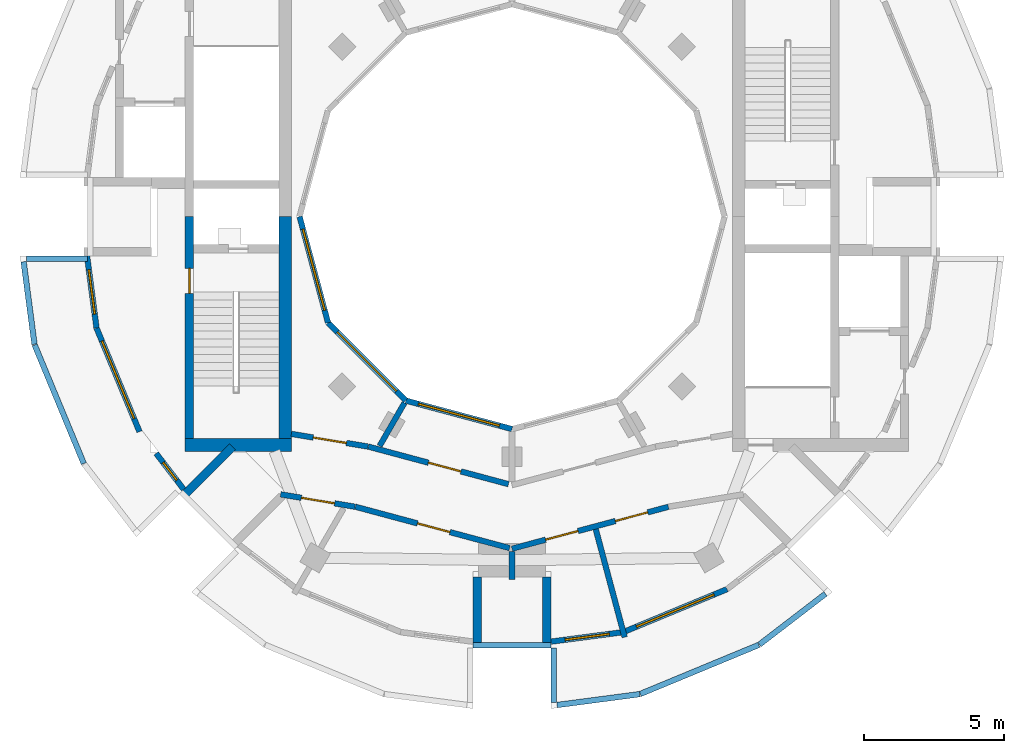
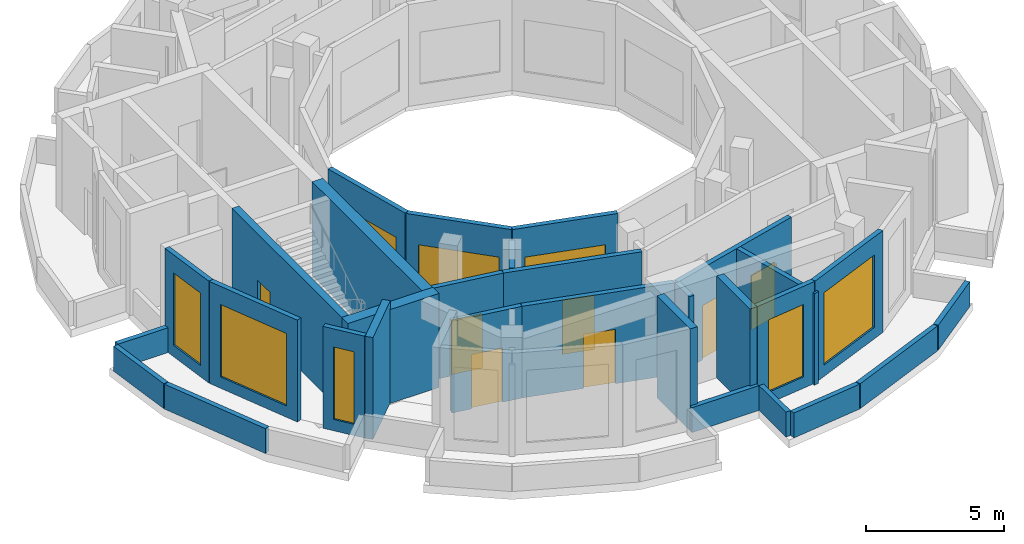
# One storey, part 2 of 7: 30 walls, 8 windows, 7 doors, 15 openings.
"""IFC4 building model written with IfcOpenShell, lengths in metres."""

import ifcopenshell
import ifcopenshell.guid

model = None  # the IFC model being written
_history = None  # IfcOwnerHistory: only IFC2X3 demands one
_inside = {}  # id of a spatial element -> (the spatial element, [elements in it])
_under = {}  # id of a project, library or spatial element -> (it, [spatial elements below it])
_declared = {}  # id of a project -> (the project, [libraries it declares])
_typed = {}  # id of a type object -> (the type object, [elements of that type])
_made_of = {}  # id of a material, layer set ... -> (it, [elements and type objects made of it])


def new_model(schema):
    """Start an empty IFC model of exactly this schema.

    Asked for "IFC4X3", IfcOpenShell would pick the latest addendum, in which some entities
    have other attributes; the version numbers below select the first issue.
    IFC2X3 requires an IfcOwnerHistory on every rooted entity: one is made here for all.
    """
    global model, _history
    if schema == "IFC4X3":
        model = ifcopenshell.file(schema_version=(4, 3, 0, 0))
    else:
        model = ifcopenshell.file(schema=schema)
    _inside.clear()
    _under.clear()
    _declared.clear()
    _typed.clear()
    _made_of.clear()
    _history = None
    if model.schema == "IFC2X3":
        org = make("IfcOrganization", Name="unknown")
        user = make(
            "IfcPersonAndOrganization",
            ThePerson=make("IfcPerson", FamilyName="unknown"),
            TheOrganization=org,
        )
        app = make(
            "IfcApplication",
            ApplicationDeveloper=org,
            Version="unknown",
            ApplicationFullName="unknown",
            ApplicationIdentifier="unknown",
        )
        _history = make(
            "IfcOwnerHistory",
            OwningUser=user,
            OwningApplication=app,
            ChangeAction="ADDED",
            CreationDate=0,
        )
    return model


def make(cls, **values):
    """One entity of the class cls with the attributes given. An attribute that is None is left unset."""
    return model.create_entity(
        cls, **{name: value for name, value in values.items() if value is not None}
    )


def rooted(cls, **values):
    """An entity with a GlobalId (a new one), such as an element, a storey or a relation."""
    return make(cls, GlobalId=ifcopenshell.guid.new(), OwnerHistory=_history, **values)


def si_unit(unit_type, name, prefix=None):
    """IfcSIUnit, for example si_unit("LENGTHUNIT", "METRE", prefix="MILLI")."""
    return make("IfcSIUnit", UnitType=unit_type, Prefix=prefix, Name=name)


def assignment(units):
    """IfcUnitAssignment: the units of a project."""
    return None if units is None else make("IfcUnitAssignment", Units=units)


def point(xyz):
    """IfcCartesianPoint."""
    return None if xyz is None else make("IfcCartesianPoint", Coordinates=xyz)


def direction(xyz):
    """IfcDirection."""
    return None if xyz is None else make("IfcDirection", DirectionRatios=xyz)


def frame(location, z_axis=None, x_axis=None):
    """IfcAxis2Placement3D, a coordinate frame: its origin and axes. An axis left out is left unset."""
    return make(
        "IfcAxis2Placement3D",
        Location=point(location),
        Axis=direction(z_axis),
        RefDirection=direction(x_axis),
    )


def frame_2d(location, x_axis=None):
    """IfcAxis2Placement2D, a coordinate frame in the plane: its origin and x axis."""
    return make(
        "IfcAxis2Placement2D", Location=point(location), RefDirection=direction(x_axis)
    )


def origin():
    """The frame at (0, 0, 0) with its axes left unset."""
    return frame((0.0, 0.0, 0.0))


def place(relative_to, where):
    """IfcLocalPlacement: puts the frame where relative to a parent placement (None: the world)."""
    return make(
        "IfcLocalPlacement", PlacementRelTo=relative_to, RelativePlacement=where
    )


def context(
    kind, dimensions, precision=None, world=None, true_north=None, identifier=None
):
    """IfcGeometricRepresentationContext, for example the 3D "Model" context."""
    return make(
        "IfcGeometricRepresentationContext",
        ContextIdentifier=identifier,
        ContextType=kind,
        CoordinateSpaceDimension=dimensions,
        Precision=precision,
        WorldCoordinateSystem=world,
        TrueNorth=true_north,
    )


def subcontext(parent, identifier, kind, view, scale=None):
    """IfcGeometricRepresentationSubContext, for example "Body" below "Model"."""
    return make(
        "IfcGeometricRepresentationSubContext",
        ContextIdentifier=identifier,
        ContextType=kind,
        ParentContext=parent,
        TargetScale=scale,
        TargetView=view,
    )


def project(units=None, contexts=None):
    """IfcProject with its units and contexts."""
    return rooted(
        "IfcProject",
        Name="project",
        RepresentationContexts=contexts,
        UnitsInContext=assignment(units),
    )


def spatial(cls, under=None, at=None, **own):
    """A site, building, storey or space (cls), placed at a placement, below another one or the project."""
    s = rooted(cls, ObjectPlacement=at, **own)
    if under is not None:
        _under.setdefault(under.id(), (under, []))[1].append(s)
    return s


def profile(cls, at=None, kind="AREA", **sizes):
    """A parametric profile (cls). Its sizes go by their IFC names, for example OverallWidth=200.0."""
    return make(cls, ProfileType=kind, Position=at, **sizes)


def rectangle(**sizes):
    """IfcRectangleProfileDef."""
    return profile("IfcRectangleProfileDef", **sizes)


def extrude(swept, where, along, depth):
    """IfcExtrudedAreaSolid: the profile swept, set in the frame where, extruded along a direction by depth."""
    return make(
        "IfcExtrudedAreaSolid",
        SweptArea=swept,
        Position=where,
        ExtrudedDirection=direction(along),
        Depth=depth,
    )


def shape(context_of_items, identifier, shape_type, items):
    """IfcShapeRepresentation: the items that make up one representation, for example the "Body"."""
    return make(
        "IfcShapeRepresentation",
        ContextOfItems=context_of_items,
        RepresentationIdentifier=identifier,
        RepresentationType=shape_type,
        Items=items,
    )


def material(Name=None, Category=None):
    """IfcMaterial."""
    return make("IfcMaterial", Name=Name, Category=Category)


def layer(
    of_material, thickness, ventilated=None, Name=None, Category=None, Priority=None
):
    """IfcMaterialLayer: one layer of a wall or slab, of a material (None: an air gap)."""
    return make(
        "IfcMaterialLayer",
        Material=of_material,
        LayerThickness=thickness,
        IsVentilated=ventilated,
        Name=Name,
        Category=Category,
        Priority=Priority,
    )


def layer_set(layers, Name=None):
    """IfcMaterialLayerSet."""
    return make("IfcMaterialLayerSet", MaterialLayers=layers, LayerSetName=Name)


def made_of(thing, what):
    """Note that an element or type object is made of a material, layer set ...; save() writes the relation."""
    if what is not None:
        _made_of.setdefault(what.id(), (what, []))[1].append(thing)
    return thing


def type_object(cls, material=None, **own):
    """A type object (cls), such as IfcWallType, which elements share."""
    return made_of(rooted(cls, **own), material)


def element(
    cls,
    number,
    at=None,
    inside=None,
    cuts=None,
    type_object=None,
    material=None,
    context=None,
    identifier="Body",
    shape_type=None,
    held_by="IfcProductDefinitionShape",
    body=None,
    shapes=None,
    **own,
):
    """One element of the class cls, such as IfcWall. Its Tag is "e" and its number.

    at: its placement. inside: the storey or other place that contains it. cuts: it is an
    opening in that element (IfcRelVoidsElement). A single representation is given by context,
    identifier, shape_type and body (its items); several are given by shapes. held_by: the class
    of the entity that holds the representations. save() writes the other relations.
    """
    e = rooted(cls, Tag="e%d" % number, ObjectPlacement=at, **own)
    if body is not None:
        shapes = [shape(context, identifier, shape_type, body)]
    if shapes is not None:
        e.Representation = make(held_by, Representations=shapes)
    if inside is not None:
        _inside.setdefault(inside.id(), (inside, []))[1].append(e)
    if cuts is not None:
        rooted(
            "IfcRelVoidsElement", RelatingBuildingElement=cuts, RelatedOpeningElement=e
        )
    if type_object is not None:
        _typed.setdefault(type_object.id(), (type_object, []))[1].append(e)
    return made_of(e, material)


def fill(opening, filler):
    """IfcRelFillsElement: the door or window that sits in an opening."""
    return rooted(
        "IfcRelFillsElement",
        RelatingOpeningElement=opening,
        RelatedBuildingElement=filler,
    )


def aggregate(whole, parts):
    """IfcRelAggregates: a whole, such as a stair, and the parts it consists of."""
    return rooted("IfcRelAggregates", RelatingObject=whole, RelatedObjects=parts)


def save(model, path):
    """Write the relations noted so far, then the file.

    IfcRelAggregates (storeys below a building ...), IfcRelContainedInSpatialStructure (elements
    in a storey), IfcRelDefinesByType, IfcRelAssociatesMaterial and IfcRelDeclares: one each for
    every whole, place, type object, material and project.
    """
    for whole, parts in _under.values():
        aggregate(whole, parts)
    for where, things in _inside.values():
        rooted(
            "IfcRelContainedInSpatialStructure",
            RelatedElements=things,
            RelatingStructure=where,
        )
    for kind, things in _typed.values():
        rooted("IfcRelDefinesByType", RelatedObjects=things, RelatingType=kind)
    for what, things in _made_of.values():
        rooted("IfcRelAssociatesMaterial", RelatedObjects=things, RelatingMaterial=what)
    for by, libraries in _declared.values():
        rooted("IfcRelDeclares", RelatingContext=by, RelatedDefinitions=libraries)
    model.write(path)


model = new_model("IFC4")

# Units and contexts
model_context = context("Model", 3, precision=1e-05, world=origin(), true_north=direction((0.0, 1.0)))
body_context = subcontext(model_context, "Body", "Model", "MODEL_VIEW")
ifc_project = project(units=[si_unit("LENGTHUNIT", "METRE"), si_unit("AREAUNIT", "SQUARE_METRE"), si_unit("VOLUMEUNIT", "CUBIC_METRE"), si_unit("PLANEANGLEUNIT", "RADIAN"), si_unit("MASSUNIT", "GRAM", prefix="KILO")], contexts=[model_context])

# Site, building, storey
site_placement = place(None, origin())
site = spatial("IfcSite", under=ifc_project, at=site_placement, CompositionType="ELEMENT")
building_placement = place(site_placement, origin())
building = spatial("IfcBuilding", under=site, at=building_placement, Name="Torre Brocal", CompositionType="ELEMENT")
storey_placement = place(building_placement, frame((0.0, 0.0, 333.10009765625)))
storey = spatial("IfcBuildingStorey", under=building, at=storey_placement, Name="L76", CompositionType="ELEMENT", Elevation=333.10009765625)

# Wall, opening, door
ifc_material_1 = material(Name="Concrete C50", Category="concrete")
ifc_layer_1 = layer(ifc_material_1, 0.300048828125)
ifc_layer_set_1 = layer_set([ifc_layer_1], Name="Concrete C50")
wall_type_1 = type_object("IfcWallType", Name="CORE WALL 300 C50 UNDER 350 SLAB", PredefinedType="SHEAR", material=ifc_layer_set_1)
wall_1_placement = place(storey_placement, frame((68.449951171875, 75.0, 0.0), z_axis=(0.0, 0.0, 1.0), x_axis=(0.0, -1.0, 0.0)))
wall_1 = element("IfcWall", 1, at=wall_1_placement, inside=storey, type_object=wall_type_1, Name="Wall CW300-50-S350", PredefinedType="SHEAR", context=body_context, shape_type="SweptSolid", body=[
    extrude(rectangle(XDim=7.949951171875, YDim=0.300048828125, at=frame_2d((3.97509765625, 0.0))), origin(), (0.0, 0.0, 1.0), 4.14990234375),
])
opening_1_placement = place(wall_1_placement, frame((1.85009765625, 0.0, 0.0)))
opening_1 = element("IfcOpeningElement", 2, at=opening_1_placement, cuts=wall_1, Name="Opening W-D02", PredefinedType="OPENING", context=body_context, shape_type="SweptSolid", body=[
    extrude(rectangle(XDim=0.89990234375, YDim=2.10009765625, at=frame_2d((0.449951171875, 1.050048828125))), frame((0.0, 0.159912109375, 0.0), z_axis=(0.0, -1.0, 0.0), x_axis=(1.0, 0.0, 0.0)), (0.0, 0.0, 1.0), 0.320068359375),
])
ifc_material_2 = material(Name="Steel A653", Category="steel")
door_type_1 = type_object("IfcDoorType", Name="STAIR DOOR FD120 900X2100", OperationType="SINGLE_SWING_RIGHT", PredefinedType="DOOR", material=ifc_material_2)
door_1_placement = place(opening_1_placement, frame((0.89990234375, 0.0, 0.0), z_axis=(0.0, 0.0, 1.0), x_axis=(-1.0, 0.0, 0.0)))
door_1 = element("IfcDoor", 3, at=door_1_placement, inside=storey, type_object=door_type_1, Name="Door W-D02", OperationType="SINGLE_SWING_RIGHT", OverallHeight=2.10009765625, OverallWidth=0.89990234375, PredefinedType="DOOR", context=body_context, shape_type="SweptSolid", body=[
    extrude(rectangle(XDim=0.89990234375, YDim=2.10009765625, at=frame_2d((0.449951171875, 1.050048828125))), frame((0.0, 0.02490234375, 0.0), z_axis=(0.0, -1.0, 0.0), x_axis=(1.0, 0.0, 0.0)), (0.0, 0.0, 1.0), 0.050048828125),
])
fill(opening_1, door_1)

# Walls
ifc_material_3 = material(Name="Concrete C50", Category="concrete")
ifc_layer_2 = layer(ifc_material_3, 0.449951171875)
ifc_layer_set_2 = layer_set([ifc_layer_2], Name="Concrete C50")
wall_type_2 = type_object("IfcWallType", Name="CORE WALL 450 C50 UNDER 350 SLAB", PredefinedType="SHEAR", material=ifc_layer_set_2)
wall_2_placement = place(storey_placement, frame((72.10009765625, 66.824951171875, 0.0), z_axis=(0.0, 0.0, 1.0), x_axis=(-1.0, 0.0, 0.0)))
element("IfcWall", 4, at=wall_2_placement, inside=storey, type_object=wall_type_2, Name="Wall CW450-50-S350", PredefinedType="SHEAR", context=body_context, shape_type="SweptSolid", body=[
    extrude(rectangle(XDim=3.800048828125, YDim=0.449951171875, at=frame_2d((1.89990234375, 0.0))), origin(), (0.0, 0.0, 1.0), 4.14990234375),
])
wall_3_placement = place(storey_placement, frame((71.875, 75.0, 0.0), z_axis=(0.0, 0.0, 1.0), x_axis=(0.0, -1.0, 0.0)))
element("IfcWall", 5, at=wall_3_placement, inside=storey, type_object=wall_type_2, Name="Wall CW450-50-S350", PredefinedType="SHEAR", context=body_context, shape_type="SweptSolid", body=[
    extrude(rectangle(XDim=7.949951171875, YDim=0.449951171875, at=frame_2d((3.97509765625, 0.0))), origin(), (0.0, 0.0, 1.0), 4.14990234375),
])

# Wall, opening, window
ifc_material_4 = material(Name="Concrete C40", Category="concrete")
ifc_layer_3 = layer(ifc_material_4, 0.199951171875)
ifc_layer_set_3 = layer_set([ifc_layer_3], Name="Concrete C40")
wall_type_3 = type_object("IfcWallType", Name="LOUVRED PLANT WALL 200", PredefinedType="NOTDEFINED", material=ifc_layer_set_3)
wall_4_placement = place(storey_placement, frame((64.78515625, 73.60009765625, 0.0), z_axis=(0.0, 0.0, 1.0), x_axis=(0.130495678972, -0.991448878041, 0.0)))
wall_4 = element("IfcWall", 6, at=wall_4_placement, inside=storey, type_object=wall_type_3, Name="LOUVRED PLANT WALL", PredefinedType="NOTDEFINED", context=body_context, shape_type="SweptSolid", body=[
    extrude(rectangle(XDim=2.60791015625, YDim=0.199951171875, at=frame_2d((1.303955078125, 0.0))), origin(), (0.0, 0.0, 1.0), 4.5),
])
opening_2_placement = place(wall_4_placement, frame((0.50390625, 0.0, 0.5)))
opening_2 = element("IfcOpeningElement", 7, at=opening_2_placement, cuts=wall_4, Name="Opening LV-1600-3200", PredefinedType="OPENING", context=body_context, shape_type="SweptSolid", body=[
    extrude(rectangle(XDim=1.60009765625, YDim=3.199951171875, at=frame_2d((0.800048828125, 1.60009765625))), frame((0.0, 0.10986328125, 0.0), z_axis=(0.0, -1.0, 0.0), x_axis=(1.0, 0.0, 0.0)), (0.0, 0.0, 1.0), 0.219970703125),
])
ifc_material_5 = material(Name="Aluminium louvre", Category="aluminium")
window_type_1 = type_object("IfcWindowType", Name="LOUVRE PANEL 1600X3200", PartitioningType="SINGLE_PANEL", PredefinedType="USERDEFINED", material=ifc_material_5)
window_1_placement = place(opening_2_placement, origin())
window_1 = element("IfcWindow", 8, at=window_1_placement, inside=storey, type_object=window_type_1, Name="LOUVRE PANEL 1600X3200", ObjectType="LOUVRE", OverallHeight=3.199951171875, OverallWidth=1.60009765625, PartitioningType="SINGLE_PANEL", PredefinedType="USERDEFINED", context=body_context, shape_type="SweptSolid", body=[
    extrude(rectangle(XDim=1.60009765625, YDim=3.199951171875, at=frame_2d((0.800048828125, 1.60009765625))), frame((0.0, 0.030029296875, 0.0), z_axis=(0.0, -1.0, 0.0), x_axis=(1.0, 0.0, 0.0)), (0.0, 0.0, 1.0), 0.06005859375),
])
fill(opening_2, window_1)

wall_5_placement = place(storey_placement, frame((65.12548828125, 71.014404296875, 0.0), z_axis=(0.0, 0.0, 1.0), x_axis=(0.38273440371, -0.923858417842, 0.0)))
wall_5 = element("IfcWall", 9, at=wall_5_placement, inside=storey, type_object=wall_type_3, Name="LOUVRED PLANT WALL", PredefinedType="NOTDEFINED", context=body_context, shape_type="SweptSolid", body=[
    extrude(rectangle(XDim=4.02001953125, YDim=0.199951171875, at=frame_2d((2.010009765625, 0.0))), origin(), (0.0, 0.0, 1.0), 4.5),
])
opening_3_placement = place(wall_5_placement, frame((0.510009765625, 0.0, 0.5)))
opening_3 = element("IfcOpeningElement", 10, at=opening_3_placement, cuts=wall_5, Name="Opening LV-3000-3200", PredefinedType="OPENING", context=body_context, shape_type="SweptSolid", body=[
    extrude(rectangle(XDim=3.0, YDim=3.199951171875, at=frame_2d((1.5, 1.60009765625))), frame((0.0, 0.10986328125, 0.0), z_axis=(0.0, -1.0, 0.0), x_axis=(1.0, 0.0, 0.0)), (0.0, 0.0, 1.0), 0.219970703125),
])
ifc_material_6 = material(Name="Aluminium louvre", Category="aluminium")
window_type_2 = type_object("IfcWindowType", Name="LOUVRE PANEL 3000X3200", PartitioningType="SINGLE_PANEL", PredefinedType="USERDEFINED", material=ifc_material_6)
window_2_placement = place(opening_3_placement, origin())
window_2 = element("IfcWindow", 11, at=window_2_placement, inside=storey, type_object=window_type_2, Name="LOUVRE PANEL 3000X3200", ObjectType="LOUVRE", OverallHeight=3.199951171875, OverallWidth=3.0, PartitioningType="SINGLE_PANEL", PredefinedType="USERDEFINED", context=body_context, shape_type="SweptSolid", body=[
    extrude(rectangle(XDim=3.0, YDim=3.199951171875, at=frame_2d((1.5, 1.60009765625))), frame((0.0, 0.030029296875, 0.0), z_axis=(0.0, -1.0, 0.0), x_axis=(1.0, 0.0, 0.0)), (0.0, 0.0, 1.0), 0.06005859375),
])
fill(opening_3, window_2)

wall_6_placement = place(storey_placement, frame((67.260498046875, 66.52294921875, 0.0), z_axis=(0.0, 0.0, 1.0), x_axis=(0.608836430161, -0.79329578425, 0.0)))
wall_6 = element("IfcWall", 12, at=wall_6_placement, inside=storey, type_object=wall_type_3, Name="LOUVRED PLANT WALL", PredefinedType="NOTDEFINED", context=body_context, shape_type="SweptSolid", body=[
    extrude(rectangle(XDim=1.6201171875, YDim=0.199951171875, at=frame_2d((0.81005859375, 0.0))), origin(), (0.0, 0.0, 1.0), 4.5),
])
opening_4_placement = place(wall_6_placement, frame((0.409912109375, 0.0, 0.5)))
opening_4 = element("IfcOpeningElement", 13, at=opening_4_placement, cuts=wall_6, Name="Opening LV-800-3200", PredefinedType="OPENING", context=body_context, shape_type="SweptSolid", body=[
    extrude(rectangle(XDim=0.800048828125, YDim=3.199951171875, at=frame_2d((0.39990234375, 1.60009765625))), frame((0.0, 0.10986328125, 0.0), z_axis=(0.0, -1.0, 0.0), x_axis=(1.0, 0.0, 0.0)), (0.0, 0.0, 1.0), 0.219970703125),
])
ifc_material_7 = material(Name="Aluminium louvre", Category="aluminium")
window_type_3 = type_object("IfcWindowType", Name="LOUVRE PANEL 800X3200", PartitioningType="SINGLE_PANEL", PredefinedType="USERDEFINED", material=ifc_material_7)
window_3_placement = place(opening_4_placement, origin())
window_3 = element("IfcWindow", 14, at=window_3_placement, inside=storey, type_object=window_type_3, Name="LOUVRE PANEL 800X3200", ObjectType="LOUVRE", OverallHeight=3.199951171875, OverallWidth=0.800048828125, PartitioningType="SINGLE_PANEL", PredefinedType="USERDEFINED", context=body_context, shape_type="SweptSolid", body=[
    extrude(rectangle(XDim=0.800048828125, YDim=3.199951171875, at=frame_2d((0.39990234375, 1.60009765625))), frame((0.0, 0.030029296875, 0.0), z_axis=(0.0, -1.0, 0.0), x_axis=(1.0, 0.0, 0.0)), (0.0, 0.0, 1.0), 0.06005859375),
])
fill(opening_4, window_3)

wall_7_placement = place(storey_placement, frame((81.39990234375, 59.78515625, 0.0), z_axis=(0.0, 0.0, 1.0), x_axis=(0.991448878041, 0.130495678972, 0.0)))
wall_7 = element("IfcWall", 15, at=wall_7_placement, inside=storey, type_object=wall_type_3, Name="LOUVRED PLANT WALL", PredefinedType="NOTDEFINED", context=body_context, shape_type="SweptSolid", body=[
    extrude(rectangle(XDim=2.60791015625, YDim=0.199951171875, at=frame_2d((1.303955078125, 0.0))), origin(), (0.0, 0.0, 1.0), 4.5),
])
opening_5_placement = place(wall_7_placement, frame((0.50390625, 0.0, 0.5)))
opening_5 = element("IfcOpeningElement", 16, at=opening_5_placement, cuts=wall_7, Name="Opening LV-1600-3200", PredefinedType="OPENING", context=body_context, shape_type="SweptSolid", body=[
    extrude(rectangle(XDim=1.60009765625, YDim=3.199951171875, at=frame_2d((0.800048828125, 1.60009765625))), frame((0.0, 0.10986328125, 0.0), z_axis=(0.0, -1.0, 0.0), x_axis=(1.0, 0.0, 0.0)), (0.0, 0.0, 1.0), 0.219970703125),
])
window_4_placement = place(opening_5_placement, origin())
window_4 = element("IfcWindow", 17, at=window_4_placement, inside=storey, type_object=window_type_1, Name="LOUVRE PANEL 1600X3200", ObjectType="LOUVRE", OverallHeight=3.199951171875, OverallWidth=1.60009765625, PartitioningType="SINGLE_PANEL", PredefinedType="USERDEFINED", context=body_context, shape_type="SweptSolid", body=[
    extrude(rectangle(XDim=1.60009765625, YDim=3.199951171875, at=frame_2d((0.800048828125, 1.60009765625))), frame((0.0, 0.030029296875, 0.0), z_axis=(0.0, -1.0, 0.0), x_axis=(1.0, 0.0, 0.0)), (0.0, 0.0, 1.0), 0.06005859375),
])
fill(opening_5, window_4)

wall_8_placement = place(storey_placement, frame((83.985595703125, 60.12548828125, 0.0), z_axis=(0.0, 0.0, 1.0), x_axis=(0.923858417842, 0.38273440371, 0.0)))
wall_8 = element("IfcWall", 18, at=wall_8_placement, inside=storey, type_object=wall_type_3, Name="LOUVRED PLANT WALL", PredefinedType="NOTDEFINED", context=body_context, shape_type="SweptSolid", body=[
    extrude(rectangle(XDim=4.02001953125, YDim=0.199951171875, at=frame_2d((2.010009765625, 0.0))), origin(), (0.0, 0.0, 1.0), 4.5),
])
opening_6_placement = place(wall_8_placement, frame((0.510009765625, 0.0, 0.5)))
opening_6 = element("IfcOpeningElement", 19, at=opening_6_placement, cuts=wall_8, Name="Opening LV-3000-3200", PredefinedType="OPENING", context=body_context, shape_type="SweptSolid", body=[
    extrude(rectangle(XDim=3.0, YDim=3.199951171875, at=frame_2d((1.5, 1.60009765625))), frame((0.0, 0.10986328125, 0.0), z_axis=(0.0, -1.0, 0.0), x_axis=(1.0, 0.0, 0.0)), (0.0, 0.0, 1.0), 0.219970703125),
])
window_5_placement = place(opening_6_placement, origin())
window_5 = element("IfcWindow", 20, at=window_5_placement, inside=storey, type_object=window_type_2, Name="LOUVRE PANEL 3000X3200", ObjectType="LOUVRE", OverallHeight=3.199951171875, OverallWidth=3.0, PartitioningType="SINGLE_PANEL", PredefinedType="USERDEFINED", context=body_context, shape_type="SweptSolid", body=[
    extrude(rectangle(XDim=3.0, YDim=3.199951171875, at=frame_2d((1.5, 1.60009765625))), frame((0.0, 0.030029296875, 0.0), z_axis=(0.0, -1.0, 0.0), x_axis=(1.0, 0.0, 0.0)), (0.0, 0.0, 1.0), 0.06005859375),
])
fill(opening_6, window_5)

# Walls
ifc_material_8 = material(Name="Concrete C50", Category="concrete")
ifc_layer_4 = layer(ifc_material_8, 0.300048828125)
ifc_layer_set_4 = layer_set([ifc_layer_4], Name="Concrete C50")
wall_type_4 = type_object("IfcWallType", Name="NOTCH RETURN WALL 300 C50", PredefinedType="NOTDEFINED", material=ifc_layer_set_4)
for number, where, z_axis, x_axis, name in (
    (21, (69.994384765625, 66.76220703125, 0.0), (0.0, 0.0, 1.0), (-0.707056246487, -0.707157312274, 0.0), "NOTCH RETURN WALL"),
    (22, (78.75, 62.10009765625, 0.0), (0.0, 0.0, 1.0), (0.0, -1.0, 0.0), "NOTCH RETURN WALL"),
    (23, (81.25, 62.10009765625, 0.0), (0.0, 0.0, 1.0), (0.0, -1.0, 0.0), "NOTCH RETURN WALL"),
):
    element("IfcWall", number, at=place(storey_placement, frame(where, z_axis=z_axis, x_axis=x_axis)), inside=storey, type_object=wall_type_4, Name=name, PredefinedType="NOTDEFINED", context=body_context, shape_type="SweptSolid", body=[
        extrude(rectangle(XDim=2.415771484375, YDim=0.300048828125, at=frame_2d((1.2080078125, 0.0))), origin(), (0.0, 0.0, 1.0), 4.5),
    ])
ifc_material_9 = material(Name="Concrete C40", Category="concrete")
ifc_layer_5 = layer(ifc_material_9, 0.199951171875)
ifc_layer_set_5 = layer_set([ifc_layer_5], Name="Concrete C40")
wall_type_5 = type_object("IfcWallType", Name="PARAPET WALL 200 THICK 1100 HIGH 8", PredefinedType="PARAPET", material=ifc_layer_set_5)
wall_9_placement = place(storey_placement, frame((91.22314453125, 61.49560546875, 0.0), z_axis=(0.0, 0.0, 1.0), x_axis=(-0.79335441758, -0.608760025056, 0.0)))
element("IfcWall", 24, at=wall_9_placement, inside=storey, type_object=wall_type_5, Name="PARAPET WALL 12", PredefinedType="PARAPET", context=body_context, shape_type="SweptSolid", body=[
    extrude(rectangle(XDim=2.979736328125, YDim=0.199951171875, at=frame_2d((1.48974609375, 0.0))), origin(), (0.0, 0.0, 1.0), 1.099853515625),
])
wall_10_placement = place(storey_placement, frame((88.83642578125, 59.66845703125, 0.0), z_axis=(0.0, 0.0, 1.0), x_axis=(-0.923884687805, -0.382670986147, 0.0)))
element("IfcWall", 25, at=wall_10_placement, inside=storey, type_object=wall_type_5, Name="PARAPET WALL 13", PredefinedType="PARAPET", context=body_context, shape_type="SweptSolid", body=[
    extrude(rectangle(XDim=4.593505859375, YDim=0.199951171875, at=frame_2d((2.296875, 0.0))), origin(), (0.0, 0.0, 1.0), 1.099853515625),
])
wall_11_placement = place(storey_placement, frame((84.5673828125, 57.90380859375, 0.0), z_axis=(0.0, 0.0, 1.0), x_axis=(-0.991446206513, -0.130515974463, 0.0)))
element("IfcWall", 26, at=wall_11_placement, inside=storey, type_object=wall_type_5, Name="PARAPET WALL 14", PredefinedType="PARAPET", context=body_context, shape_type="SweptSolid", body=[
    extrude(rectangle(XDim=2.979736328125, YDim=0.199951171875, at=frame_2d((1.48974609375, 0.0))), origin(), (0.0, 0.0, 1.0), 1.099853515625),
])
wall_12_placement = place(storey_placement, frame((81.5, 57.614013671875, 0.0), z_axis=(0.0, 0.0, 1.0), x_axis=(0.0, 1.0, 0.0)))
element("IfcWall", 27, at=wall_12_placement, inside=storey, type_object=wall_type_5, Name="PARAPET WALL 15", PredefinedType="PARAPET", context=body_context, shape_type="SweptSolid", body=[
    extrude(rectangle(XDim=1.93603515625, YDim=0.199951171875, at=frame_2d((0.968017578125, 0.0))), origin(), (0.0, 0.0, 1.0), 1.099853515625),
])
wall_13_placement = place(storey_placement, frame((81.39990234375, 59.64990234375, 0.0), z_axis=(0.0, 0.0, 1.0), x_axis=(-1.0, 0.0, 0.0)))
element("IfcWall", 28, at=wall_13_placement, inside=storey, type_object=wall_type_5, Name="PARAPET WALL 16", PredefinedType="PARAPET", context=body_context, shape_type="SweptSolid", body=[
    extrude(rectangle(XDim=2.7998046875, YDim=0.199951171875, at=frame_2d((1.39990234375, 0.0))), origin(), (0.0, 0.0, 1.0), 1.099853515625),
])
wall_14_placement = place(storey_placement, frame((64.66845703125, 66.16357421875, 0.0), z_axis=(0.0, 0.0, 1.0), x_axis=(-0.382670986147, 0.923884687805, 0.0)))
element("IfcWall", 29, at=wall_14_placement, inside=storey, type_object=wall_type_5, Name="PARAPET WALL 25", PredefinedType="PARAPET", context=body_context, shape_type="SweptSolid", body=[
    extrude(rectangle(XDim=4.593505859375, YDim=0.199951171875, at=frame_2d((2.296875, 0.0))), origin(), (0.0, 0.0, 1.0), 1.099853515625),
])
wall_15_placement = place(storey_placement, frame((62.90380859375, 70.4326171875, 0.0), z_axis=(0.0, 0.0, 1.0), x_axis=(-0.130515974463, 0.991446206513, 0.0)))
element("IfcWall", 30, at=wall_15_placement, inside=storey, type_object=wall_type_5, Name="PARAPET WALL 26", PredefinedType="PARAPET", context=body_context, shape_type="SweptSolid", body=[
    extrude(rectangle(XDim=2.979736328125, YDim=0.199951171875, at=frame_2d((1.48974609375, 0.0))), origin(), (0.0, 0.0, 1.0), 1.099853515625),
])
wall_16_placement = place(storey_placement, frame((62.614013671875, 73.5, 0.0), z_axis=(0.0, 0.0, 1.0), x_axis=(1.0, 0.0, 0.0)))
element("IfcWall", 31, at=wall_16_placement, inside=storey, type_object=wall_type_5, Name="PARAPET WALL 27", PredefinedType="PARAPET", context=body_context, shape_type="SweptSolid", body=[
    extrude(rectangle(XDim=2.18603515625, YDim=0.199951171875, at=frame_2d((1.093017578125, 0.0))), origin(), (0.0, 0.0, 1.0), 1.099853515625),
])

# Wall, opening, door
ifc_material_10 = material(Name="Masonry block", Category="masonry")
ifc_layer_6 = layer(ifc_material_10, 0.199951171875)
ifc_layer_set_6 = layer_set([ifc_layer_6], Name="Masonry block")
wall_type_6 = type_object("IfcWallType", Name="PARTITION 200 EI120", PredefinedType="PARTITIONING", material=ifc_layer_set_6)
wall_17_placement = place(storey_placement, frame((71.7158203125, 65.058349609375, 0.0), z_axis=(0.0, 0.0, 1.0), x_axis=(0.986393923832, -0.164398987305, 0.0)))
wall_17 = element("IfcWall", 32, at=wall_17_placement, inside=storey, type_object=wall_type_6, Name="PLANT ROOM WALL", PredefinedType="PARTITIONING", context=body_context, shape_type="SweptSolid", body=[
    extrude(rectangle(XDim=2.702880859375, YDim=0.199951171875, at=frame_2d((1.3515625, 0.0))), origin(), (0.0, 0.0, 1.0), 4.0498046875),
])
opening_7_placement = place(wall_17_placement, frame((0.7568359375, 0.0, 0.0)))
opening_7 = element("IfcOpeningElement", 33, at=opening_7_placement, cuts=wall_17, Name="Opening X5-D12", PredefinedType="OPENING", context=body_context, shape_type="SweptSolid", body=[
    extrude(rectangle(XDim=1.199951171875, YDim=2.39990234375, at=frame_2d((0.60009765625, 1.199951171875))), frame((0.0, 0.10986328125, 0.0), z_axis=(0.0, -1.0, 0.0), x_axis=(1.0, 0.0, 0.0)), (0.0, 0.0, 1.0), 0.219970703125),
])
ifc_material_11 = material(Name="Steel A653", Category="steel")
door_type_2 = type_object("IfcDoorType", Name="PLANT DOOR FD90 1200X2400", OperationType="SINGLE_SWING_RIGHT", PredefinedType="DOOR", material=ifc_material_11)
door_2_placement = place(opening_7_placement, frame((1.199951171875, 0.0, 0.0), z_axis=(0.0, 0.0, 1.0), x_axis=(-1.0, 0.0, 0.0)))
door_2 = element("IfcDoor", 34, at=door_2_placement, inside=storey, type_object=door_type_2, Name="X5-D12", OperationType="SINGLE_SWING_RIGHT", OverallHeight=2.39990234375, OverallWidth=1.199951171875, PredefinedType="DOOR", context=body_context, shape_type="SweptSolid", body=[
    extrude(rectangle(XDim=1.199951171875, YDim=2.39990234375, at=frame_2d((0.60009765625, 1.199951171875))), frame((0.0, 0.02490234375, 0.0), z_axis=(0.0, -1.0, 0.0), x_axis=(1.0, 0.0, 0.0)), (0.0, 0.0, 1.0), 0.050048828125),
])
fill(opening_7, door_2)

wall_18_placement = place(storey_placement, frame((72.10009765625, 67.221923828125, 0.0), z_axis=(0.0, 0.0, 1.0), x_axis=(0.986662669858, -0.162778302943, 0.0)))
wall_18 = element("IfcWall", 35, at=wall_18_placement, inside=storey, type_object=wall_type_6, Name="PLANT ROOM WALL", PredefinedType="PARTITIONING", context=body_context, shape_type="SweptSolid", body=[
    extrude(rectangle(XDim=2.78515625, YDim=0.199951171875, at=frame_2d((1.392578125, 0.0))), origin(), (0.0, 0.0, 1.0), 4.0498046875),
])
opening_8_placement = place(wall_18_placement, frame((0.797607421875, 0.0, 0.0)))
opening_8 = element("IfcOpeningElement", 36, at=opening_8_placement, cuts=wall_18, Name="Opening X5-D16", PredefinedType="OPENING", context=body_context, shape_type="SweptSolid", body=[
    extrude(rectangle(XDim=1.199951171875, YDim=2.39990234375, at=frame_2d((0.60009765625, 1.199951171875))), frame((0.0, 0.10986328125, 0.0), z_axis=(0.0, -1.0, 0.0), x_axis=(1.0, 0.0, 0.0)), (0.0, 0.0, 1.0), 0.219970703125),
])
door_3_placement = place(opening_8_placement, origin())
door_3 = element("IfcDoor", 37, at=door_3_placement, inside=storey, type_object=door_type_2, Name="X5-D16", OperationType="SINGLE_SWING_LEFT", OverallHeight=2.39990234375, OverallWidth=1.199951171875, PredefinedType="DOOR", context=body_context, shape_type="SweptSolid", body=[
    extrude(rectangle(XDim=1.199951171875, YDim=2.39990234375, at=frame_2d((0.60009765625, 1.199951171875))), frame((0.0, 0.02490234375, 0.0), z_axis=(0.0, -1.0, 0.0), x_axis=(1.0, 0.0, 0.0)), (0.0, 0.0, 1.0), 0.050048828125),
])
fill(opening_8, door_3)

wall_19_placement = place(storey_placement, frame((74.39208984375, 64.61474609375, 0.0), z_axis=(0.0, 0.0, 1.0), x_axis=(0.965852483565, -0.259092608911, 0.0)))
wall_19 = element("IfcWall", 38, at=wall_19_placement, inside=storey, type_object=wall_type_6, Name="PLANT ROOM WALL", PredefinedType="PARTITIONING", context=body_context, shape_type="SweptSolid", body=[
    extrude(rectangle(XDim=5.7158203125, YDim=0.199951171875, at=frame_2d((2.85791015625, 0.0))), origin(), (0.0, 0.0, 1.0), 4.0498046875),
])
opening_9_placement = place(wall_19_placement, frame((2.302978515625, 0.0, 0.0)))
opening_9 = element("IfcOpeningElement", 39, at=opening_9_placement, cuts=wall_19, Name="Opening X5-D11", PredefinedType="OPENING", context=body_context, shape_type="SweptSolid", body=[
    extrude(rectangle(XDim=1.199951171875, YDim=2.39990234375, at=frame_2d((0.60009765625, 1.199951171875))), frame((0.0, 0.10986328125, 0.0), z_axis=(0.0, -1.0, 0.0), x_axis=(1.0, 0.0, 0.0)), (0.0, 0.0, 1.0), 0.219970703125),
])
door_4_placement = place(opening_9_placement, frame((1.199951171875, 0.0, 0.0), z_axis=(0.0, 0.0, 1.0), x_axis=(-1.0, 0.0, 0.0)))
door_4 = element("IfcDoor", 40, at=door_4_placement, inside=storey, type_object=door_type_2, Name="X5-D11", OperationType="SINGLE_SWING_LEFT", OverallHeight=2.39990234375, OverallWidth=1.199951171875, PredefinedType="DOOR", context=body_context, shape_type="SweptSolid", body=[
    extrude(rectangle(XDim=1.199951171875, YDim=2.39990234375, at=frame_2d((0.60009765625, 1.199951171875))), frame((0.0, 0.02490234375, 0.0), z_axis=(0.0, -1.0, 0.0), x_axis=(1.0, 0.0, 0.0)), (0.0, 0.0, 1.0), 0.050048828125),
])
fill(opening_9, door_4)

wall_20_placement = place(storey_placement, frame((74.85791015625, 66.76708984375, 0.0), z_axis=(0.0, 0.0, 1.0), x_axis=(0.965911957735, -0.258870797705, 0.0)))
wall_20 = element("IfcWall", 41, at=wall_20_placement, inside=storey, type_object=wall_type_6, Name="PLANT ROOM WALL", PredefinedType="PARTITIONING", context=body_context, shape_type="SweptSolid", body=[
    extrude(rectangle(XDim=5.193603515625, YDim=0.199951171875, at=frame_2d((2.5966796875, 0.0))), origin(), (0.0, 0.0, 1.0), 4.0498046875),
])
opening_10_placement = place(wall_20_placement, frame((2.226318359375, 0.0, 0.0)))
opening_10 = element("IfcOpeningElement", 42, at=opening_10_placement, cuts=wall_20, Name="Opening X5-D15", PredefinedType="OPENING", context=body_context, shape_type="SweptSolid", body=[
    extrude(rectangle(XDim=1.199951171875, YDim=2.39990234375, at=frame_2d((0.60009765625, 1.199951171875))), frame((0.0, 0.10986328125, 0.0), z_axis=(0.0, -1.0, 0.0), x_axis=(1.0, 0.0, 0.0)), (0.0, 0.0, 1.0), 0.219970703125),
])
door_5_placement = place(opening_10_placement, origin())
door_5 = element("IfcDoor", 43, at=door_5_placement, inside=storey, type_object=door_type_2, Name="X5-D15", OperationType="SINGLE_SWING_LEFT", OverallHeight=2.39990234375, OverallWidth=1.199951171875, PredefinedType="DOOR", context=body_context, shape_type="SweptSolid", body=[
    extrude(rectangle(XDim=1.199951171875, YDim=2.39990234375, at=frame_2d((0.60009765625, 1.199951171875))), frame((0.0, 0.02490234375, 0.0), z_axis=(0.0, -1.0, 0.0), x_axis=(1.0, 0.0, 0.0)), (0.0, 0.0, 1.0), 0.050048828125),
])
fill(opening_10, door_5)

# Walls
wall_21_placement = place(storey_placement, frame((75.259765625, 66.789794921875, 0.0), z_axis=(0.0, 0.0, 1.0), x_axis=(0.500058459303, 0.865991649659, 0.0)))
element("IfcWall", 44, at=wall_21_placement, inside=storey, type_object=wall_type_6, Name="PLANT ROOM WALL", PredefinedType="PARTITIONING", context=body_context, shape_type="SweptSolid", body=[
    extrude(rectangle(XDim=1.781982421875, YDim=0.199951171875, at=frame_2d((0.89111328125, 0.0))), origin(), (0.0, 0.0, 1.0), 4.0498046875),
])
wall_22_placement = place(storey_placement, frame((80.0, 62.010986328125, 0.0), z_axis=(0.0, 0.0, 1.0), x_axis=(0.0, 1.0, 0.0)))
element("IfcWall", 45, at=wall_22_placement, inside=storey, type_object=wall_type_6, Name="PLANT ROOM WALL", PredefinedType="PARTITIONING", context=body_context, shape_type="SweptSolid", body=[
    extrude(rectangle(XDim=1.009033203125, YDim=0.199951171875, at=frame_2d((0.50439453125, 0.0))), origin(), (0.0, 0.0, 1.0), 4.0498046875),
])

# Wall, openings, doors
wall_23_placement = place(storey_placement, frame((80.0, 63.111083984375, 0.0), z_axis=(0.0, 0.0, 1.0), x_axis=(0.965908374176, 0.258884168492, 0.0)))
wall_23 = element("IfcWall", 46, at=wall_23_placement, inside=storey, type_object=wall_type_6, Name="PLANT ROOM WALL", PredefinedType="PARTITIONING", context=body_context, shape_type="SweptSolid", body=[
    extrude(rectangle(XDim=5.7958984375, YDim=0.199951171875, at=frame_2d((2.89794921875, 0.0))), origin(), (0.0, 0.0, 1.0), 4.0498046875),
])
opening_11_placement = place(wall_23_placement, frame((3.83154296875, 0.0, 0.0)))
opening_11 = element("IfcOpeningElement", 47, at=opening_11_placement, cuts=wall_23, Name="Opening X5-D09", PredefinedType="OPENING", context=body_context, shape_type="SweptSolid", body=[
    extrude(rectangle(XDim=1.199951171875, YDim=2.39990234375, at=frame_2d((0.60009765625, 1.199951171875))), frame((0.0, 0.10986328125, 0.0), z_axis=(0.0, -1.0, 0.0), x_axis=(1.0, 0.0, 0.0)), (0.0, 0.0, 1.0), 0.219970703125),
])
opening_12_placement = place(wall_23_placement, frame((1.248291015625, 0.0, 0.0)))
opening_12 = element("IfcOpeningElement", 48, at=opening_12_placement, cuts=wall_23, Name="Opening X5-D10", PredefinedType="OPENING", context=body_context, shape_type="SweptSolid", body=[
    extrude(rectangle(XDim=1.199951171875, YDim=2.39990234375, at=frame_2d((0.60009765625, 1.199951171875))), frame((0.0, 0.10986328125, 0.0), z_axis=(0.0, -1.0, 0.0), x_axis=(1.0, 0.0, 0.0)), (0.0, 0.0, 1.0), 0.219970703125),
])
door_6_placement = place(opening_11_placement, frame((1.199951171875, 0.0, 0.0), z_axis=(0.0, 0.0, 1.0), x_axis=(-1.0, 0.0, 0.0)))
door_6 = element("IfcDoor", 49, at=door_6_placement, inside=storey, type_object=door_type_2, Name="X5-D09", OperationType="SINGLE_SWING_RIGHT", OverallHeight=2.39990234375, OverallWidth=1.199951171875, PredefinedType="DOOR", context=body_context, shape_type="SweptSolid", body=[
    extrude(rectangle(XDim=1.199951171875, YDim=2.39990234375, at=frame_2d((0.60009765625, 1.199951171875))), frame((0.0, 0.02490234375, 0.0), z_axis=(0.0, -1.0, 0.0), x_axis=(1.0, 0.0, 0.0)), (0.0, 0.0, 1.0), 0.050048828125),
])
fill(opening_11, door_6)
door_7_placement = place(opening_12_placement, frame((1.199951171875, 0.0, 0.0), z_axis=(0.0, 0.0, 1.0), x_axis=(-1.0, 0.0, 0.0)))
door_7 = element("IfcDoor", 50, at=door_7_placement, inside=storey, type_object=door_type_2, Name="X5-D10", OperationType="SINGLE_SWING_LEFT", OverallHeight=2.39990234375, OverallWidth=1.199951171875, PredefinedType="DOOR", context=body_context, shape_type="SweptSolid", body=[
    extrude(rectangle(XDim=1.199951171875, YDim=2.39990234375, at=frame_2d((0.60009765625, 1.199951171875))), frame((0.0, 0.02490234375, 0.0), z_axis=(0.0, -1.0, 0.0), x_axis=(1.0, 0.0, 0.0)), (0.0, 0.0, 1.0), 0.050048828125),
])
fill(opening_12, door_7)

# Wall
wall_24_placement = place(storey_placement, frame((82.998046875, 63.810546875, 0.0), z_axis=(0.0, 0.0, 1.0), x_axis=(0.258759455785, -0.965941791228, 0.0)))
element("IfcWall", 51, at=wall_24_placement, inside=storey, type_object=wall_type_6, Name="PLANT ROOM WALL", PredefinedType="PARTITIONING", context=body_context, shape_type="SweptSolid", body=[
    extrude(rectangle(XDim=4.003173828125, YDim=0.199951171875, at=frame_2d((2.00146484375, 0.0))), origin(), (0.0, 0.0, 1.0), 4.0498046875),
])

# Wall, opening, window
ifc_material_12 = material(Name="Concrete C40", Category="concrete")
ifc_layer_7 = layer(ifc_material_12, 0.199951171875)
ifc_layer_set_7 = layer_set([ifc_layer_7], Name="Concrete C40")
wall_type_7 = type_object("IfcWallType", Name="WELL FACADE WALL 200", PredefinedType="NOTDEFINED", material=ifc_layer_set_7)
wall_25_placement = place(storey_placement, frame((72.396484375, 75.0, 0.0), z_axis=(0.0, 0.0, 1.0), x_axis=(0.258789828301, -0.965933654434, 0.0)))
wall_25 = element("IfcWall", 52, at=wall_25_placement, inside=storey, type_object=wall_type_7, Name="WELL FACADE WALL", PredefinedType="NOTDEFINED", context=body_context, shape_type="SweptSolid", body=[
    extrude(rectangle(XDim=3.935791015625, YDim=0.199951171875, at=frame_2d((1.9677734375, 0.0))), origin(), (0.0, 0.0, 1.0), 4.5),
])
opening_13_placement = place(wall_25_placement, frame((0.468017578125, 0.0, 0.89990234375)))
opening_13 = element("IfcOpeningElement", 53, at=opening_13_placement, cuts=wall_25, Name="Opening W1", PredefinedType="OPENING", context=body_context, shape_type="SweptSolid", body=[
    extrude(rectangle(XDim=3.0, YDim=2.300048828125, at=frame_2d((1.5, 1.14990234375))), frame((0.0, 0.10986328125, 0.0), z_axis=(0.0, -1.0, 0.0), x_axis=(1.0, 0.0, 0.0)), (0.0, 0.0, 1.0), 0.219970703125),
])
ifc_material_13 = material(Name="Aluminium and glass", Category="aluminium")
window_type_4 = type_object("IfcWindowType", Name="WELL WINDOW 3000X2300", PartitioningType="SINGLE_PANEL", PredefinedType="WINDOW", material=ifc_material_13)
window_6_placement = place(opening_13_placement, origin())
window_6 = element("IfcWindow", 54, at=window_6_placement, inside=storey, type_object=window_type_4, Name="WELL WINDOW 3000X2300", OverallHeight=2.300048828125, OverallWidth=3.0, PartitioningType="SINGLE_PANEL", PredefinedType="WINDOW", context=body_context, shape_type="SweptSolid", body=[
    extrude(rectangle(XDim=3.0, YDim=2.300048828125, at=frame_2d((1.5, 1.14990234375))), frame((0.0, 0.030029296875, 0.0), z_axis=(0.0, -1.0, 0.0), x_axis=(1.0, 0.0, 0.0)), (0.0, 0.0, 1.0), 0.06005859375),
])
fill(opening_13, window_6)

wall_26_placement = place(storey_placement, frame((73.4150390625, 71.1982421875, 0.0), z_axis=(0.0, 0.0, 1.0), x_axis=(0.707106781187, -0.707106781187, 0.0)))
wall_26 = element("IfcWall", 55, at=wall_26_placement, inside=storey, type_object=wall_type_7, Name="WELL FACADE WALL", PredefinedType="NOTDEFINED", context=body_context, shape_type="SweptSolid", body=[
    extrude(rectangle(XDim=3.93603515625, YDim=0.199951171875, at=frame_2d((1.968017578125, 0.0))), origin(), (0.0, 0.0, 1.0), 4.5),
])
opening_14_placement = place(wall_26_placement, frame((0.468017578125, 0.0, 0.89990234375)))
opening_14 = element("IfcOpeningElement", 56, at=opening_14_placement, cuts=wall_26, Name="Opening W1", PredefinedType="OPENING", context=body_context, shape_type="SweptSolid", body=[
    extrude(rectangle(XDim=3.0, YDim=2.300048828125, at=frame_2d((1.5, 1.14990234375))), frame((0.0, 0.10986328125, 0.0), z_axis=(0.0, -1.0, 0.0), x_axis=(1.0, 0.0, 0.0)), (0.0, 0.0, 1.0), 0.219970703125),
])
window_7_placement = place(opening_14_placement, origin())
window_7 = element("IfcWindow", 57, at=window_7_placement, inside=storey, type_object=window_type_4, Name="WELL WINDOW 3000X2300", OverallHeight=2.300048828125, OverallWidth=3.0, PartitioningType="SINGLE_PANEL", PredefinedType="WINDOW", context=body_context, shape_type="SweptSolid", body=[
    extrude(rectangle(XDim=3.0, YDim=2.300048828125, at=frame_2d((1.5, 1.14990234375))), frame((0.0, 0.030029296875, 0.0), z_axis=(0.0, -1.0, 0.0), x_axis=(1.0, 0.0, 0.0)), (0.0, 0.0, 1.0), 0.06005859375),
])
fill(opening_14, window_7)

wall_27_placement = place(storey_placement, frame((76.1982421875, 68.4150390625, 0.0), z_axis=(0.0, 0.0, 1.0), x_axis=(0.965933654434, -0.258789828301, 0.0)))
wall_27 = element("IfcWall", 58, at=wall_27_placement, inside=storey, type_object=wall_type_7, Name="WELL FACADE WALL", PredefinedType="NOTDEFINED", context=body_context, shape_type="SweptSolid", body=[
    extrude(rectangle(XDim=3.935791015625, YDim=0.199951171875, at=frame_2d((1.9677734375, 0.0))), origin(), (0.0, 0.0, 1.0), 4.5),
])
opening_15_placement = place(wall_27_placement, frame((0.468017578125, 0.0, 0.89990234375)))
opening_15 = element("IfcOpeningElement", 59, at=opening_15_placement, cuts=wall_27, Name="Opening W1", PredefinedType="OPENING", context=body_context, shape_type="SweptSolid", body=[
    extrude(rectangle(XDim=3.0, YDim=2.300048828125, at=frame_2d((1.5, 1.14990234375))), frame((0.0, 0.10986328125, 0.0), z_axis=(0.0, -1.0, 0.0), x_axis=(1.0, 0.0, 0.0)), (0.0, 0.0, 1.0), 0.219970703125),
])
window_8_placement = place(opening_15_placement, origin())
window_8 = element("IfcWindow", 60, at=window_8_placement, inside=storey, type_object=window_type_4, Name="WELL WINDOW 3000X2300", OverallHeight=2.300048828125, OverallWidth=3.0, PartitioningType="SINGLE_PANEL", PredefinedType="WINDOW", context=body_context, shape_type="SweptSolid", body=[
    extrude(rectangle(XDim=3.0, YDim=2.300048828125, at=frame_2d((1.5, 1.14990234375))), frame((0.0, 0.030029296875, 0.0), z_axis=(0.0, -1.0, 0.0), x_axis=(1.0, 0.0, 0.0)), (0.0, 0.0, 1.0), 0.06005859375),
])
fill(opening_15, window_8)

save(model, "model.ifc")
